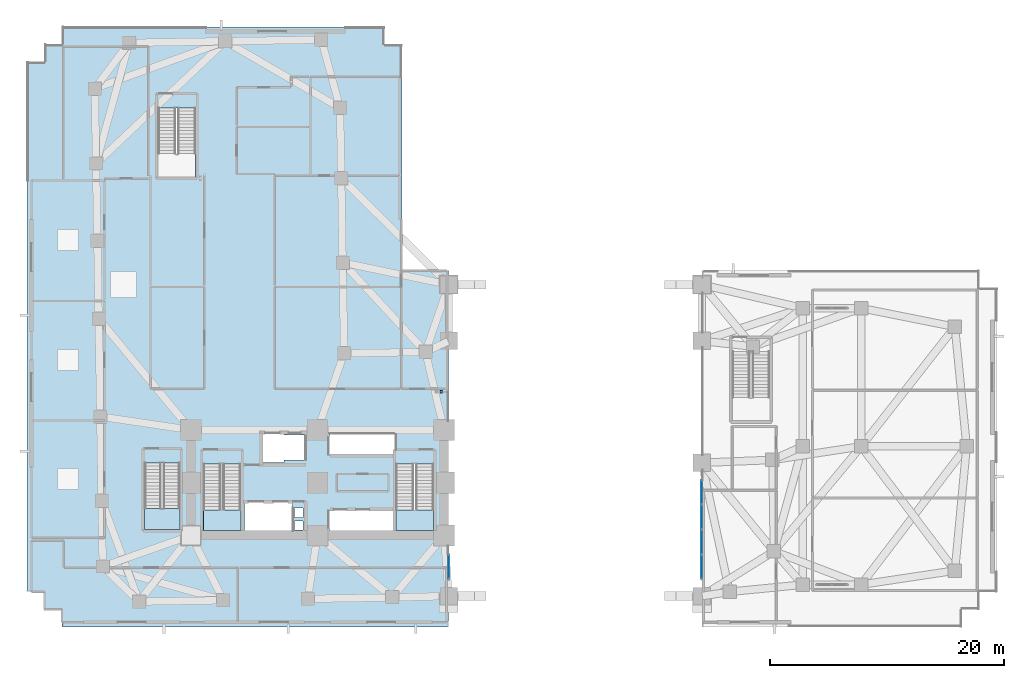
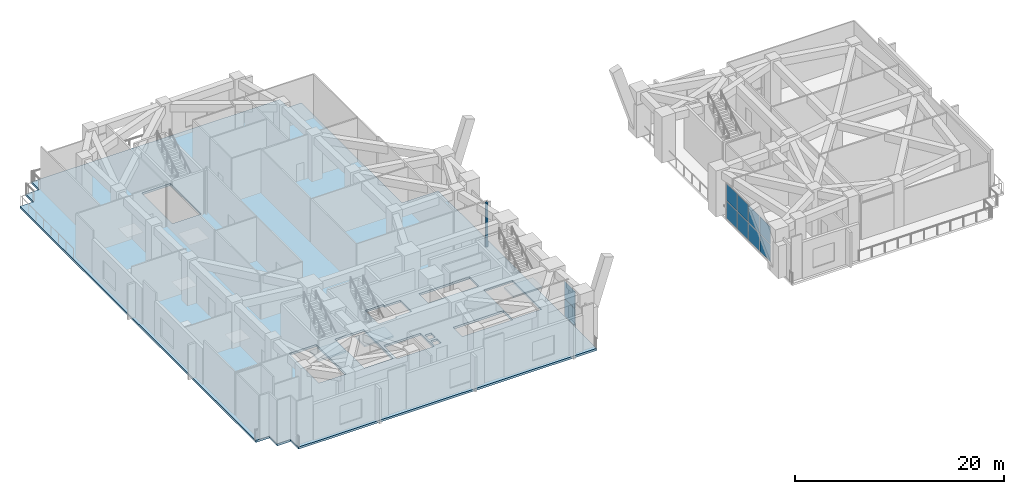
# One storey, part 5 of 18: 11 plates, 4 slabs, 5 elements without a shape of their own.
"""IFC4 building model written with IfcOpenShell, lengths in metres."""

from ifc_helpers import new_model, si_unit, direction, frame, origin, origin_2d, place, context, subcontext, project, spatial, polyline, rectangle, outline, extrude, material, layer, layer_set, type_object, element, aggregate, save


model = new_model("IFC4")

# Units and contexts
model_context = context("Model", 3, precision=1e-05, world=origin(), true_north=direction((0.0, 1.0)))
body_context = subcontext(model_context, "Body", "Model", "MODEL_VIEW")
ifc_project = project(units=[si_unit("LENGTHUNIT", "METRE"), si_unit("AREAUNIT", "SQUARE_METRE"), si_unit("VOLUMEUNIT", "CUBIC_METRE"), si_unit("PLANEANGLEUNIT", "RADIAN"), si_unit("MASSUNIT", "GRAM", prefix="KILO")], contexts=[model_context])

# Site, building, storey
site_placement = place(None, origin())
site = spatial("IfcSite", under=ifc_project, at=site_placement, CompositionType="ELEMENT")
building_placement = place(site_placement, origin())
building = spatial("IfcBuilding", under=site, at=building_placement, Name="Gaonmaruhae Medical Tower", CompositionType="ELEMENT")
storey_placement = place(building_placement, frame((0.0, 0.0, 5.39990234375)))
storey = spatial("IfcBuildingStorey", under=building, at=storey_placement, Name="L01", CompositionType="ELEMENT", Elevation=5.39990234375)

# Curtain wall, plates
ifc_material_1 = material(Name="Anodised aluminium and Low-E double glazing", Category="aluminium")
curtain_wall_type = type_object("IfcCurtainWallType", Name="CW-S1 Portal Arch Concourse Curtain Wall", PredefinedType="NOTDEFINED", material=ifc_material_1)
curtain_wall_1_placement = place(storey_placement, origin())
curtain_wall_1 = element("IfcCurtainWall", 1, at=curtain_wall_1_placement, inside=storey, type_object=curtain_wall_type, Name="L01 Curtain Wall CW-L01-S1W", PredefinedType="NOTDEFINED")
ifc_material_2 = material(Name="Low-E double solar glass", Category="glass")
ifc_layer_1 = layer(ifc_material_2, 0.028076171875)
ifc_layer_set_1 = layer_set([ifc_layer_1], Name="Low-E double solar glass")
plate_type_1 = type_object("IfcPlateType", Name="CWP-V1 Low-E Double Vision Glazing Panel", PredefinedType="CURTAIN_PANEL", material=ifc_layer_set_1)
plate_1_placement = place(storey_placement, frame((36.0, 5.1318359375, 0.0751953125), z_axis=(0.0, 0.0, 1.0), x_axis=(0.0, 1.0, 0.0)))
plate_1 = element("IfcPlate", 2, at=plate_1_placement, type_object=plate_type_1, Name="CW-S1 panel 1.1", PredefinedType="CURTAIN_PANEL", context=body_context, shape_type="SweptSolid", body=[
    extrude(rectangle(XDim=2.020263671875, YDim=0.028076171875, at=origin_2d()), origin(), (0.0, 0.0, 1.0), 2.00244140625),
])
plate_2_placement = place(storey_placement, frame((36.0, 5.1318359375, 2.152587890625), z_axis=(0.0, 0.0, 1.0), x_axis=(0.0, 1.0, 0.0)))
plate_2 = element("IfcPlate", 3, at=plate_2_placement, type_object=plate_type_1, Name="CW-S1 panel 1.2", PredefinedType="CURTAIN_PANEL", context=body_context, shape_type="SweptSolid", body=[
    extrude(rectangle(XDim=2.020263671875, YDim=0.028076171875, at=origin_2d()), origin(), (0.0, 0.0, 1.0), 2.00244140625),
])
aggregate(curtain_wall_1, [plate_1, plate_2])

curtain_wall_2_placement = place(storey_placement, origin())
curtain_wall_2 = element("IfcCurtainWall", 4, at=curtain_wall_2_placement, inside=storey, type_object=curtain_wall_type, Name="L01 Curtain Wall CW-L01-S1E", PredefinedType="NOTDEFINED")
plate_3_placement = place(storey_placement, frame((57.60009765625, 5.132080078125, 0.0751953125), z_axis=(0.0, 0.0, 1.0), x_axis=(0.0, 1.0, 0.0)))
plate_3 = element("IfcPlate", 5, at=plate_3_placement, type_object=plate_type_1, Name="CW-S1 panel 1.1", PredefinedType="CURTAIN_PANEL", context=body_context, shape_type="SweptSolid", body=[
    extrude(rectangle(XDim=2.020751953125, YDim=0.028076171875, at=origin_2d()), origin(), (0.0, 0.0, 1.0), 2.00244140625),
])
plate_4_placement = place(storey_placement, frame((57.60009765625, 5.132080078125, 2.152587890625), z_axis=(0.0, 0.0, 1.0), x_axis=(0.0, 1.0, 0.0)))
plate_4 = element("IfcPlate", 6, at=plate_4_placement, type_object=plate_type_1, Name="CW-S1 panel 1.2", PredefinedType="CURTAIN_PANEL", context=body_context, shape_type="SweptSolid", body=[
    extrude(rectangle(XDim=2.020751953125, YDim=0.028076171875, at=origin_2d()), origin(), (0.0, 0.0, 1.0), 2.00244140625),
])
plate_5_placement = place(storey_placement, frame((57.60009765625, 7.246337890625, 0.0751953125), z_axis=(0.0, 0.0, 1.0), x_axis=(0.0, 1.0, 0.0)))
plate_5 = element("IfcPlate", 7, at=plate_5_placement, type_object=plate_type_1, Name="CW-S1 panel 2.1", PredefinedType="CURTAIN_PANEL", context=body_context, shape_type="SweptSolid", body=[
    extrude(rectangle(XDim=2.05810546875, YDim=0.028076171875, at=origin_2d()), origin(), (0.0, 0.0, 1.0), 2.00244140625),
])
plate_6_placement = place(storey_placement, frame((57.60009765625, 7.246337890625, 2.152587890625), z_axis=(0.0, 0.0, 1.0), x_axis=(0.0, 1.0, 0.0)))
plate_6 = element("IfcPlate", 8, at=plate_6_placement, type_object=plate_type_1, Name="CW-S1 panel 2.2", PredefinedType="CURTAIN_PANEL", context=body_context, shape_type="SweptSolid", body=[
    extrude(rectangle(XDim=2.05810546875, YDim=0.028076171875, at=origin_2d()), origin(), (0.0, 0.0, 1.0), 2.00244140625),
])
plate_7_placement = place(storey_placement, frame((57.60009765625, 9.379638671875, 0.0751953125), z_axis=(0.0, 0.0, 1.0), x_axis=(0.0, 1.0, 0.0)))
plate_7 = element("IfcPlate", 9, at=plate_7_placement, type_object=plate_type_1, Name="CW-S1 panel 3.1", PredefinedType="CURTAIN_PANEL", context=body_context, shape_type="SweptSolid", body=[
    extrude(rectangle(XDim=2.05810546875, YDim=0.028076171875, at=origin_2d()), origin(), (0.0, 0.0, 1.0), 2.00244140625),
])
plate_8_placement = place(storey_placement, frame((57.60009765625, 9.379638671875, 2.152587890625), z_axis=(0.0, 0.0, 1.0), x_axis=(0.0, 1.0, 0.0)))
plate_8 = element("IfcPlate", 10, at=plate_8_placement, type_object=plate_type_1, Name="CW-S1 panel 3.2", PredefinedType="CURTAIN_PANEL", context=body_context, shape_type="SweptSolid", body=[
    extrude(rectangle(XDim=2.05810546875, YDim=0.028076171875, at=origin_2d()), origin(), (0.0, 0.0, 1.0), 2.00244140625),
])
plate_9_placement = place(storey_placement, frame((57.60009765625, 11.493896484375, 0.0751953125), z_axis=(0.0, 0.0, 1.0), x_axis=(0.0, 1.0, 0.0)))
plate_9 = element("IfcPlate", 11, at=plate_9_placement, type_object=plate_type_1, Name="CW-S1 panel 4.1", PredefinedType="CURTAIN_PANEL", context=body_context, shape_type="SweptSolid", body=[
    extrude(rectangle(XDim=2.020751953125, YDim=0.028076171875, at=origin_2d()), origin(), (0.0, 0.0, 1.0), 2.00244140625),
])
plate_10_placement = place(storey_placement, frame((57.60009765625, 11.493896484375, 2.152587890625), z_axis=(0.0, 0.0, 1.0), x_axis=(0.0, 1.0, 0.0)))
plate_10 = element("IfcPlate", 12, at=plate_10_placement, type_object=plate_type_1, Name="CW-S1 panel 4.2", PredefinedType="CURTAIN_PANEL", context=body_context, shape_type="SweptSolid", body=[
    extrude(rectangle(XDim=2.020751953125, YDim=0.028076171875, at=origin_2d()), origin(), (0.0, 0.0, 1.0), 2.00244140625),
])
aggregate(curtain_wall_2, [plate_3, plate_4, plate_5, plate_6, plate_7, plate_8, plate_9, plate_10])

# Slab
ifc_material_3 = material(Name="Concrete C40/50", Category="concrete")
ifc_layer_2 = layer(ifc_material_3, 0.25)
ifc_layer_set_2 = layer_set([ifc_layer_2], Name="Concrete C40/50")
slab_type_1 = type_object("IfcSlabType", Name="FS-250 Podium & Basement Floor Slab", PredefinedType="FLOOR", material=ifc_layer_set_2)
slab_1_placement = place(storey_placement, frame((0.0, 0.0, -0.25)))
element("IfcSlab", 13, at=slab_1_placement, inside=storey, type_object=slab_type_1, Name="L01 Structural Slab 1", PredefinedType="FLOOR", context=body_context, shape_type="SweptSolid", body=[
    extrude(outline(polyline([(3.0, 0.0), (3.0, 1.5), (1.5, 1.5), (1.5, 3.0), (0.0, 3.0), (0.0, 48.199951171875), (1.5, 48.199951171875), (1.5, 49.699951171875), (3.0, 49.699951171875), (3.0, 51.199951171875), (30.5, 51.199951171875), (30.5, 49.699951171875), (32.0, 49.699951171875), (32.0, 30.39990234375), (36.0, 30.39990234375), (36.0, 0.0), (3.0, 0.0)]), holes=[polyline([(23.550048828125, 8.25), (22.85009765625, 8.25), (22.85009765625, 9.050048828125), (23.550048828125, 9.050048828125), (23.550048828125, 8.25)]), polyline([(22.64990234375, 10.625), (22.64990234375, 8.074951171875), (18.550048828125, 8.074951171875), (18.550048828125, 10.625), (22.64990234375, 10.625)]), polyline([(15.050048828125, 13.889892578125), (18.25, 13.889892578125), (18.25, 8.300048828125), (15.050048828125, 8.300048828125), (15.050048828125, 13.889892578125)]), polyline([(13.050048828125, 13.989990234375), (13.050048828125, 8.300048828125), (10.050048828125, 8.300048828125), (10.050048828125, 13.989990234375), (13.050048828125, 13.989990234375)]), polyline([(21.949951171875, 14.02490234375), (19.949951171875, 14.02490234375), (19.949951171875, 16.574951171875), (21.949951171875, 16.574951171875), (21.949951171875, 16.375), (23.72509765625, 16.375), (23.72509765625, 14.22509765625), (21.949951171875, 14.22509765625), (21.949951171875, 14.02490234375)]), polyline([(11.199951171875, 44.2900390625), (14.39990234375, 44.2900390625), (14.39990234375, 38.39990234375), (11.199951171875, 38.39990234375), (11.199951171875, 44.2900390625)]), polyline([(31.425048828125, 9.925048828125), (31.425048828125, 8.175048828125), (25.824951171875, 8.175048828125), (25.824951171875, 9.925048828125), (31.425048828125, 9.925048828125)]), polyline([(22.85009765625, 9.35009765625), (22.85009765625, 10.14990234375), (23.550048828125, 10.14990234375), (23.550048828125, 9.35009765625), (22.85009765625, 9.35009765625)]), polyline([(31.5, 13.889892578125), (34.699951171875, 13.889892578125), (34.699951171875, 8.300048828125), (31.5, 8.300048828125), (31.5, 13.889892578125)]), polyline([(31.425048828125, 16.425048828125), (31.425048828125, 14.675048828125), (25.824951171875, 14.675048828125), (25.824951171875, 16.425048828125), (31.425048828125, 16.425048828125)])]), origin(), (0.0, 0.0, 1.0), 0.25),
])

# Plate
ifc_material_4 = material(Name="Anodised aluminium 6063-T6", Category="aluminium")
ifc_layer_3 = layer(ifc_material_4, 0.011962890625)
ifc_layer_set_3 = layer_set([ifc_layer_3], Name="Anodised aluminium 6063-T6")
plate_type_2 = type_object("IfcPlateType", Name="PP-01 Interior Partition Corner Stiffener Plate", PredefinedType="SHEET", material=ifc_layer_set_3)
plate_11_placement = place(storey_placement, frame((35.35498046875, 20.050048828125, 0.000244140625), z_axis=(0.0, 0.0, 1.0), x_axis=(-1.0, 0.0, 0.0)))
element("IfcPlate", 14, at=plate_11_placement, inside=storey, type_object=plate_type_2, Name="L01 Partition Corner Stiffener Plate PLT-L01-JGP-PW016", PredefinedType="SHEET", context=body_context, shape_type="SweptSolid", body=[
    extrude(rectangle(XDim=0.219970703125, YDim=0.219970703125, at=origin_2d()), origin(), (0.0, 0.0, 1.0), 5.14990234375),
])

# Stair, slab
stair_type_1 = type_object("IfcStairType", Name="ST-T1 Primary Core Escape Dogleg Stair", PredefinedType="TWO_QUARTER_TURN_STAIR", material=ifc_material_3)
stair_1_placement = place(storey_placement, origin())
stair_1 = element("IfcStair", 15, at=stair_1_placement, inside=storey, type_object=stair_type_1, Name="L01 Protected Escape Stair ST-01", PredefinedType="TWO_QUARTER_TURN_STAIR")
ifc_layer_4 = layer(ifc_material_3, 0.199951171875)
ifc_layer_set_4 = layer_set([ifc_layer_4], Name="Concrete C40/50")
slab_type_2 = type_object("IfcSlabType", Name="SL-200 Stair & Ramp Intermediate Concrete Landing", PredefinedType="LANDING", material=ifc_layer_set_4)
slab_2_placement = place(storey_placement, frame((0.0, 0.0, 2.5)))
slab_2 = element("IfcSlab", 16, at=slab_2_placement, type_object=slab_type_2, Name="ST-01 landing 1", PredefinedType="LANDING", context=body_context, shape_type="SweptSolid", body=[
    extrude(outline(polyline([(15.050048828125, 9.97998046875), (15.050048828125, 8.2041015625), (18.25, 8.2041015625), (18.25, 9.97998046875), (15.050048828125, 9.97998046875)])), origin(), (0.0, 0.0, 1.0), 0.2001953125),
])
aggregate(stair_1, [slab_2])

stair_2_placement = place(storey_placement, origin())
stair_2 = element("IfcStair", 17, at=stair_2_placement, inside=storey, type_object=stair_type_1, Name="L01 Protected Escape Stair ST-02", PredefinedType="TWO_QUARTER_TURN_STAIR")
slab_3_placement = place(storey_placement, frame((0.0, 0.0, 2.5)))
slab_3 = element("IfcSlab", 18, at=slab_3_placement, type_object=slab_type_2, Name="ST-02 landing 1", PredefinedType="LANDING", context=body_context, shape_type="SweptSolid", body=[
    extrude(outline(polyline([(31.5, 9.97998046875), (31.5, 8.2041015625), (34.699951171875, 8.2041015625), (34.699951171875, 9.97998046875), (31.5, 9.97998046875)])), origin(), (0.0, 0.0, 1.0), 0.2001953125),
])
aggregate(stair_2, [slab_3])

stair_type_2 = type_object("IfcStairType", Name="ST-T2 Zone 1 Escape Dogleg Stair", PredefinedType="TWO_QUARTER_TURN_STAIR", material=ifc_material_3)
stair_3_placement = place(storey_placement, origin())
stair_3 = element("IfcStair", 19, at=stair_3_placement, inside=storey, type_object=stair_type_2, Name="L01 Protected Escape Stair ST-03", PredefinedType="TWO_QUARTER_TURN_STAIR")
slab_4_placement = place(storey_placement, frame((0.0, 0.0, 2.5)))
slab_4 = element("IfcSlab", 20, at=slab_4_placement, type_object=slab_type_2, Name="ST-03 landing 1", PredefinedType="LANDING", context=body_context, shape_type="SweptSolid", body=[
    extrude(outline(polyline([(10.050048828125, 10.080078125), (10.050048828125, 8.300048828125), (13.050048828125, 8.300048828125), (13.050048828125, 10.080078125), (10.050048828125, 10.080078125)])), origin(), (0.0, 0.0, 1.0), 0.2001953125),
])
aggregate(stair_3, [slab_4])

save(model, "model.ifc")
